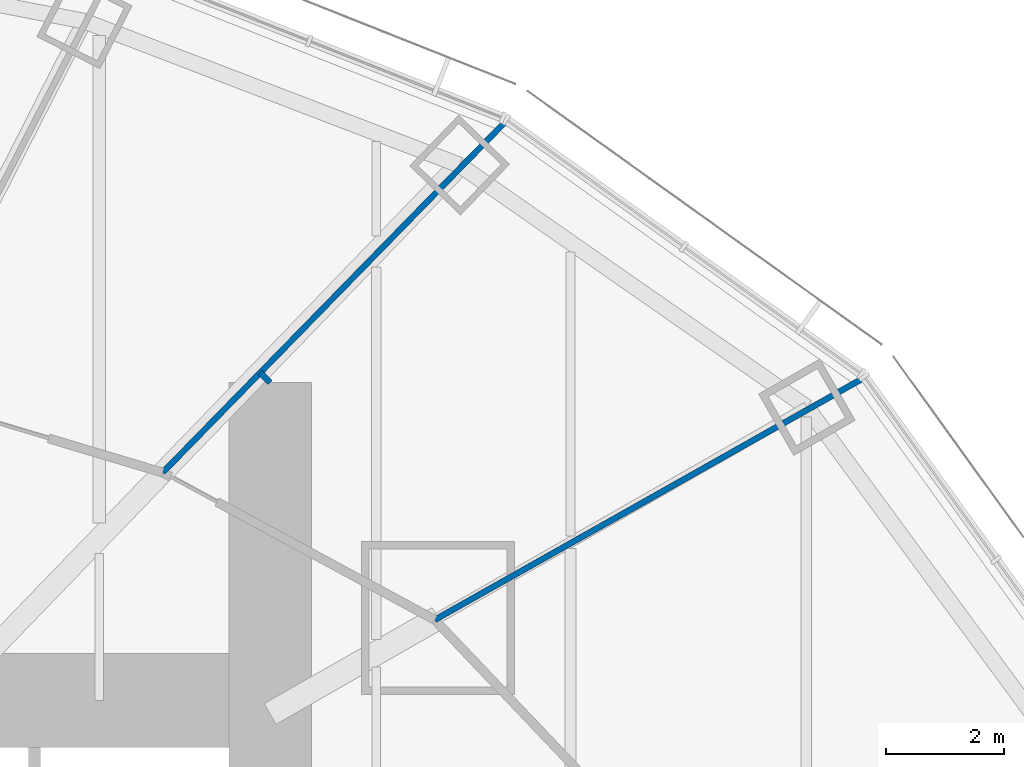
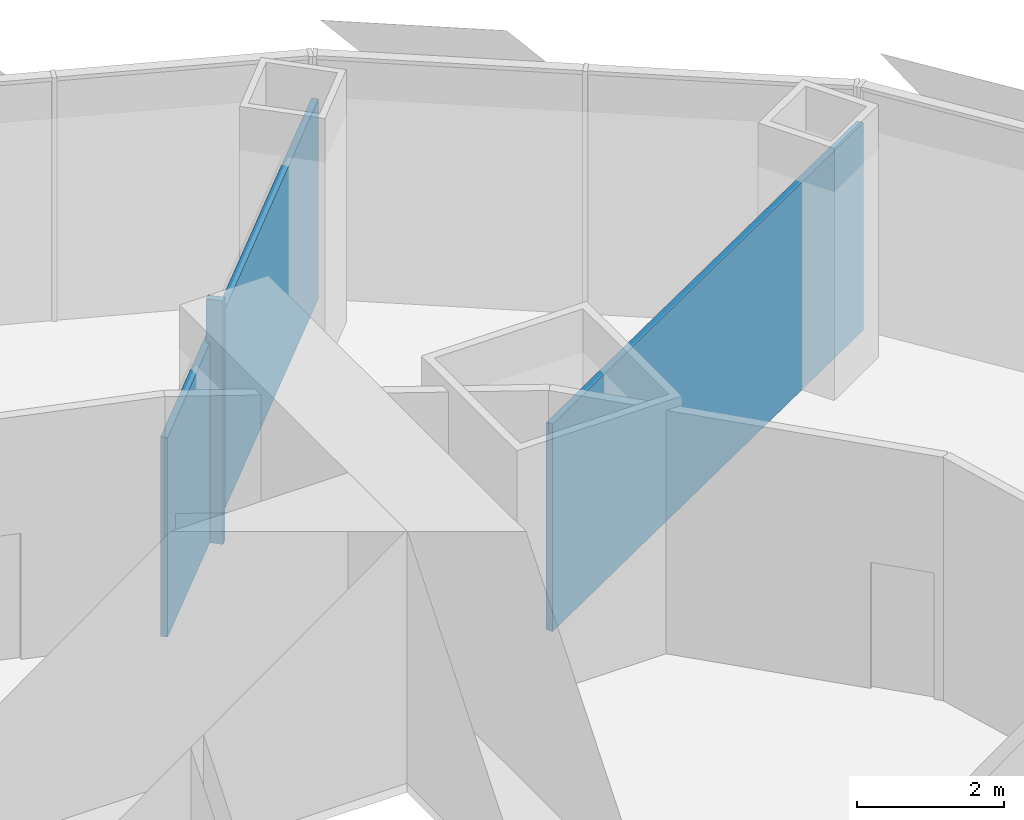
# One storey, part 13 of 18: 3 walls.
"""IFC4 building model written with IfcOpenShell, lengths in metres."""

from ifc_helpers import new_model, si_unit, direction, frame, frame_2d, origin, place, context, subcontext, project, spatial, rectangle, extrude, material, layer, layer_set, type_object, element, save


model = new_model("IFC4")

# Units and contexts
model_context = context("Model", 3, precision=1e-05, world=origin(), true_north=direction((0.0, 1.0)))
body_context = subcontext(model_context, "Body", "Model", "MODEL_VIEW")
ifc_project = project(units=[si_unit("LENGTHUNIT", "METRE"), si_unit("AREAUNIT", "SQUARE_METRE"), si_unit("VOLUMEUNIT", "CUBIC_METRE"), si_unit("PLANEANGLEUNIT", "RADIAN"), si_unit("MASSUNIT", "GRAM", prefix="KILO")], contexts=[model_context])

# Site, building, storey
site_placement = place(None, origin())
site = spatial("IfcSite", under=ifc_project, at=site_placement, CompositionType="ELEMENT")
building_placement = place(site_placement, origin())
building = spatial("IfcBuilding", under=site, at=building_placement, Name="Lantaw Convention Tower", CompositionType="ELEMENT")
storey_placement = place(building_placement, frame((0.0, 0.0, 184.60009765625)))
storey = spatial("IfcBuildingStorey", under=building, at=storey_placement, Name="L43", CompositionType="ELEMENT", Elevation=184.60009765625)

# Walls
ifc_material = material(Name="Gypsum board on steel studs, acoustic", Category="steel")
ifc_layer = layer(ifc_material, 0.10009765625)
ifc_layer_set = layer_set([ifc_layer], Name="Office partition 100")
wall_type = type_object("IfcWallType", Name="Office partition 100", PredefinedType="PARTITIONING", material=ifc_layer_set)
wall_1_placement = place(storey_placement, frame((22.94921875, 13.058837890625, 0.0), z_axis=(0.0, 0.0, 1.0), x_axis=(-0.871079462611, -0.491142107558, 0.0)))
element("IfcWall", 1, at=wall_1_placement, inside=storey, type_object=wall_type, Name="Office partition 100", PredefinedType="PARTITIONING", context=body_context, shape_type="SweptSolid", body=[
    extrude(rectangle(XDim=8.3271484375, YDim=0.10009765625, at=frame_2d((4.16357421875, 0.0))), origin(), (0.0, 0.0, 1.0), 3.450439453125),
])
wall_2_placement = place(storey_placement, frame((16.88232421875, 17.413818359375, 0.0), z_axis=(0.0, 0.0, 1.0), x_axis=(-0.698758056249, -0.715358077348, 0.0)))
element("IfcWall", 2, at=wall_2_placement, inside=storey, type_object=wall_type, Name="Office partition 100", PredefinedType="PARTITIONING", context=body_context, shape_type="SweptSolid", body=[
    extrude(rectangle(XDim=8.3095703125, YDim=0.10009765625, at=frame_2d((4.15478515625, 0.0))), origin(), (0.0, 0.0, 1.0), 3.32080078125),
])
wall_3_placement = place(storey_placement, frame((12.89990234375, 13.0, 0.0), z_axis=(0.0, 0.0, 1.0), x_axis=(-0.714845300066, 0.699282630253, 0.0)))
element("IfcWall", 3, at=wall_3_placement, inside=storey, type_object=wall_type, Name="Office partition 100", PredefinedType="PARTITIONING", context=body_context, shape_type="SweptSolid", body=[
    extrude(rectangle(XDim=0.2353515625, YDim=0.10009765625, at=frame_2d((0.11767578125, 0.0))), origin(), (0.0, 0.0, 1.0), 4.0498046875),
])

save(model, "model.ifc")
